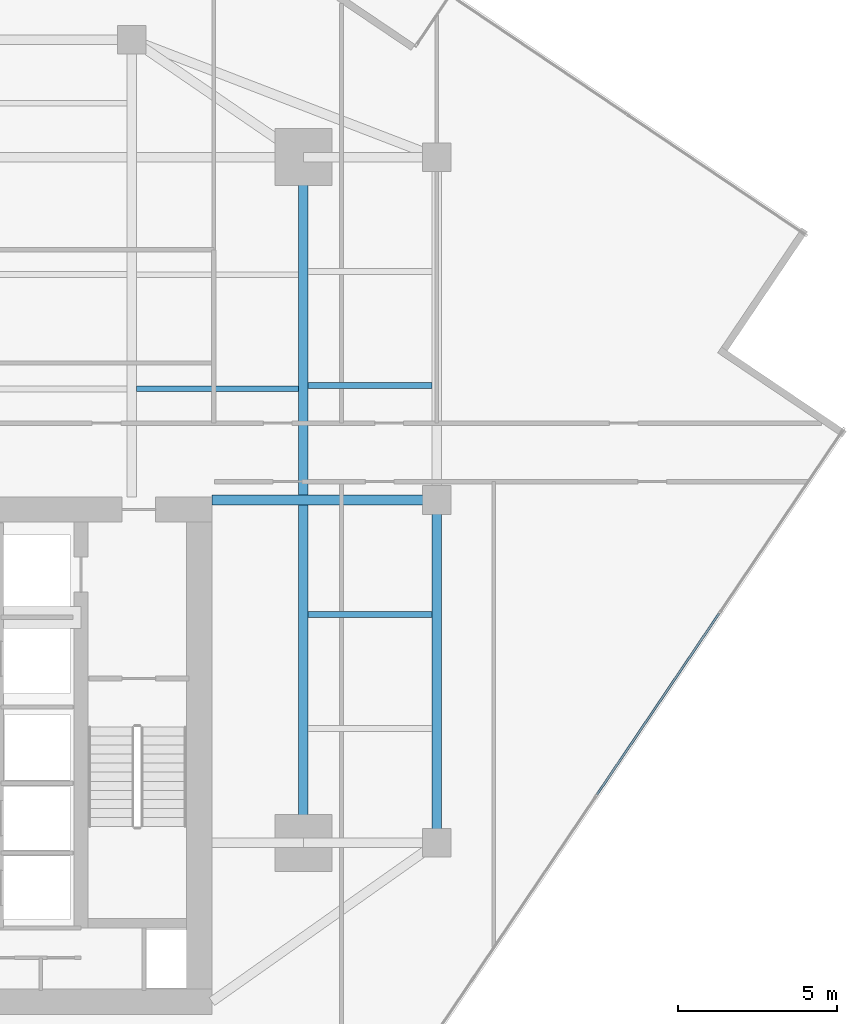
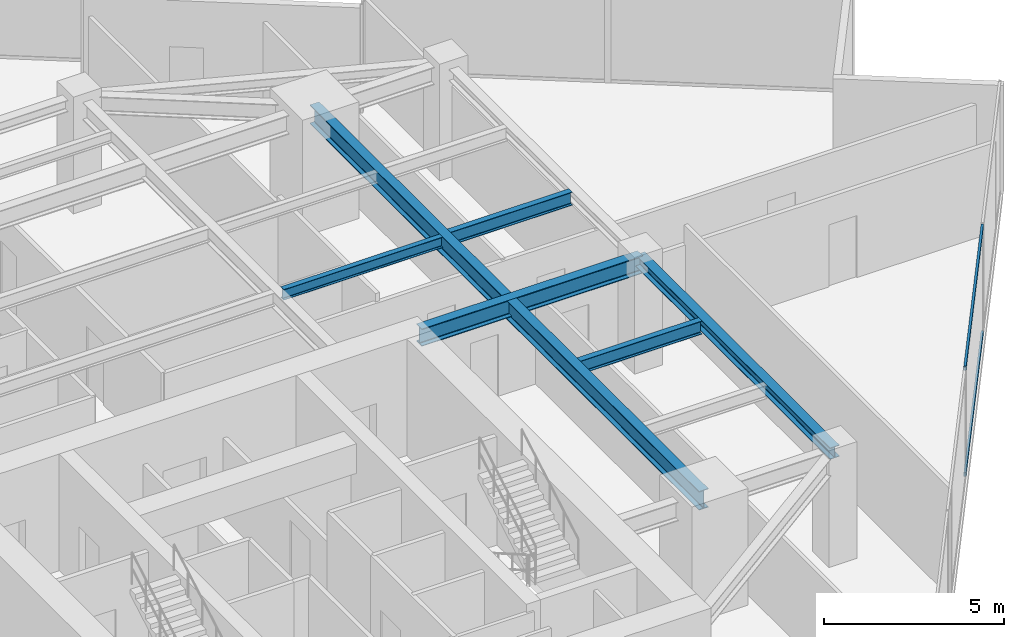
# One storey, part 11 of 27: 6 beams, 2 members, 1 element without a shape of its own.
"""IFC4 building model written with IfcOpenShell, lengths in metres."""

from ifc_helpers import new_model, si_unit, direction, frame, origin, origin_2d, place, context, subcontext, project, spatial, hollow_rectangle, i_section, extrude, source, transform, mapped, material, material_profile, profile_set, type_object, type_shapes, element, aggregate, save


model = new_model("IFC4")

# Units and contexts
model_context = context("Model", 3, precision=1e-05, world=origin(), true_north=direction((0.0, 1.0)))
body_context = subcontext(model_context, "Body", "Model", "MODEL_VIEW")
ifc_project = project(units=[si_unit("LENGTHUNIT", "METRE"), si_unit("AREAUNIT", "SQUARE_METRE"), si_unit("VOLUMEUNIT", "CUBIC_METRE"), si_unit("PLANEANGLEUNIT", "RADIAN"), si_unit("MASSUNIT", "GRAM", prefix="KILO")], contexts=[model_context])

# Site, building, storey
site_placement = place(None, origin())
site = spatial("IfcSite", under=ifc_project, at=site_placement, CompositionType="ELEMENT")
building_placement = place(site_placement, origin())
building = spatial("IfcBuilding", under=site, at=building_placement, Name="Krantzveldt Concourse Tower", CompositionType="ELEMENT")
storey_placement = place(building_placement, frame((0.0, 0.0, 185.699951171875)))
storey = spatial("IfcBuildingStorey", under=building, at=storey_placement, Name="L45", CompositionType="ELEMENT", Elevation=185.699951171875)

# Beams
ifc_material_1 = material(Name="Steel S355JR", Category="steel")
ifc_material_profile_1 = material_profile(ifc_material_1, i_section(OverallWidth=0.300048828125, OverallDepth=0.639892578125, WebThickness=0.013427734375, FlangeThickness=0.02587890625, FilletRadius=0.027099609375, at=origin_2d()), Name="Steel S355JR", Category="steel")
ifc_profile_set_1 = profile_set([ifc_material_profile_1], Name="Steel S355JR - HEA 650")
beam_type_1 = type_object("IfcBeamType", Name="BM-B-HEA650", PredefinedType="BEAM", material=ifc_profile_set_1)
shared_shape_1 = source(origin(), body_context, "Body", "SweptSolid", [
    extrude(i_section(OverallWidth=0.300048828125, OverallDepth=0.639892578125, WebThickness=0.013427734375, FlangeThickness=0.02587890625, FilletRadius=0.027099609375, at=origin_2d()), origin(), (0.0, 0.0, 1.0), 21.60009765625),
])
type_shapes(beam_type_1, [shared_shape_1])
beam_1_placement = place(storey_placement, frame((46.800048828125, 15.89990234375, 3.35009765625), z_axis=(0.0, 1.0, 0.0), x_axis=(-1.0, 0.0, 0.0)))
element("IfcBeam", 1, at=beam_1_placement, inside=storey, type_object=beam_type_1, Name="L45 Tower Girder BG-ME", PredefinedType="BEAM", context=body_context, shape_type="MappedRepresentation", body=[
    mapped(shared_shape_1, transform((0.0, 0.0, 0.0), x_axis=(1.0, 0.0, 0.0), y_axis=(0.0, 1.0, 0.0), z_axis=(0.0, 0.0, 1.0), scale=1.0)),
])
ifc_material_profile_2 = material_profile(ifc_material_1, i_section(OverallWidth=0.300048828125, OverallDepth=0.590087890625, WebThickness=0.012939453125, FlangeThickness=0.02490234375, FilletRadius=0.027099609375, at=origin_2d()), Name="Steel S355JR", Category="steel")
ifc_profile_set_2 = profile_set([ifc_material_profile_2], Name="Steel S355JR - HEA 600")
beam_type_2 = type_object("IfcBeamType", Name="BM-B-HEA600", PredefinedType="BEAM", material=ifc_profile_set_2)
shared_shape_2 = source(origin(), body_context, "Body", "SweptSolid", [
    extrude(i_section(OverallWidth=0.300048828125, OverallDepth=0.590087890625, WebThickness=0.012939453125, FlangeThickness=0.02490234375, FilletRadius=0.027099609375, at=origin_2d()), origin(), (0.0, 0.0, 1.0), 7.080078125),
])
type_shapes(beam_type_2, [shared_shape_2])
beam_2_placement = place(storey_placement, frame((43.919921875, 26.699951171875, 3.375), z_axis=(1.0, 0.0, 0.0), x_axis=(0.0, 1.0, 0.0)))
element("IfcBeam", 2, at=beam_2_placement, inside=storey, type_object=beam_type_2, Name="L45 Tower Girder BG-CE2", PredefinedType="BEAM", context=body_context, shape_type="MappedRepresentation", body=[
    mapped(shared_shape_2, transform((0.0, 0.0, 0.0), x_axis=(1.0, 0.0, 0.0), y_axis=(0.0, 1.0, 0.0), z_axis=(0.0, 0.0, 1.0), scale=1.0)),
])
ifc_material_profile_3 = material_profile(ifc_material_1, i_section(OverallWidth=0.300048828125, OverallDepth=0.389892578125, WebThickness=0.010986328125, FlangeThickness=0.01904296875, FilletRadius=0.027099609375, at=origin_2d()), Name="Steel S355JR", Category="steel")
ifc_profile_set_3 = profile_set([ifc_material_profile_3], Name="Steel S355JR - HEA 400")
beam_type_3 = type_object("IfcBeamType", Name="BM-SP-HEA400", PredefinedType="SPANDREL", material=ifc_profile_set_3)
shared_shape_3 = source(origin(), body_context, "Body", "SweptSolid", [
    extrude(i_section(OverallWidth=0.300048828125, OverallDepth=0.389892578125, WebThickness=0.010986328125, FlangeThickness=0.01904296875, FilletRadius=0.027099609375, at=origin_2d()), origin(), (0.0, 0.0, 1.0), 10.800048828125),
])
type_shapes(beam_type_3, [shared_shape_3])
beam_3_placement = place(storey_placement, frame((51.0, 26.699951171875, 3.47509765625), z_axis=(0.0, -1.0, 0.0), x_axis=(1.0, 0.0, 0.0)))
element("IfcBeam", 3, at=beam_3_placement, inside=storey, type_object=beam_type_3, Name="L45 Tower Girder SP-R07", PredefinedType="SPANDREL", context=body_context, shape_type="MappedRepresentation", body=[
    mapped(shared_shape_3, transform((0.0, 0.0, 0.0), x_axis=(1.0, 0.0, 0.0), y_axis=(0.0, 1.0, 0.0), z_axis=(0.0, 0.0, 1.0), scale=1.0)),
])
ifc_material_profile_4 = material_profile(ifc_material_1, i_section(OverallWidth=0.169921875, OverallDepth=0.360107421875, WebThickness=0.008056640625, FlangeThickness=0.0126953125, FilletRadius=0.01806640625, at=origin_2d()), Name="Steel S355JR", Category="steel")
ifc_profile_set_4 = profile_set([ifc_material_profile_4], Name="Steel S355JR - IPE 360")
beam_type_4 = type_object("IfcBeamType", Name="BM-J-IPE360", PredefinedType="JOIST", material=ifc_profile_set_4)
shared_shape_4 = source(origin(), body_context, "Body", "SweptSolid", [
    extrude(i_section(OverallWidth=0.169921875, OverallDepth=0.360107421875, WebThickness=0.008056640625, FlangeThickness=0.0126953125, FilletRadius=0.01806640625, at=origin_2d()), origin(), (0.0, 0.0, 1.0), 5.099853515625),
])
type_shapes(beam_type_4, [shared_shape_4])
beam_4_placement = place(storey_placement, frame((41.550048828125, 30.199951171875, 3.489990234375), z_axis=(1.0, 0.0, 0.0), x_axis=(0.0, 1.0, 0.0)))
element("IfcBeam", 4, at=beam_4_placement, inside=storey, type_object=beam_type_4, Name="L45 Secondary Floor Joist JN-E1", PredefinedType="JOIST", context=body_context, shape_type="MappedRepresentation", body=[
    mapped(shared_shape_4, transform((0.0, 0.0, 0.0), x_axis=(1.0, 0.0, 0.0), y_axis=(0.0, 1.0, 0.0), z_axis=(0.0, 0.0, 1.0), scale=1.0)),
])
ifc_material_profile_5 = material_profile(ifc_material_1, i_section(OverallWidth=0.18994140625, OverallDepth=0.449951171875, WebThickness=0.009521484375, FlangeThickness=0.0146484375, FilletRadius=0.02099609375, at=origin_2d()), Name="Steel S355JR", Category="steel")
ifc_profile_set_5 = profile_set([ifc_material_profile_5], Name="Steel S355JR - IPE 450")
beam_type_5 = type_object("IfcBeamType", Name="BM-J-IPE450", PredefinedType="JOIST", material=ifc_profile_set_5)
shared_shape_5 = source(origin(), body_context, "Body", "SweptSolid", [
    extrude(i_section(OverallWidth=0.18994140625, OverallDepth=0.449951171875, WebThickness=0.009521484375, FlangeThickness=0.0146484375, FilletRadius=0.02099609375, at=origin_2d()), origin(), (0.0, 0.0, 1.0), 3.900146484375),
])
type_shapes(beam_type_5, [shared_shape_5])
for number, where, z_axis, x_axis, name in (
    (5, (46.949951171875, 23.10009765625, 3.445068359375), (1.0, 0.0, 0.0), (0.0, 1.0, 0.0), "L45 Secondary Floor Joist JE-2"),
    (6, (46.949951171875, 30.300048828125, 3.445068359375), (1.0, 0.0, 0.0), (0.0, 1.0, 0.0), "L45 Secondary Floor Joist JE-3"),
):
    element("IfcBeam", number, at=place(storey_placement, frame(where, z_axis=z_axis, x_axis=x_axis)), inside=storey, type_object=beam_type_5, Name=name, PredefinedType="JOIST", context=body_context, shape_type="MappedRepresentation", body=[
        mapped(shared_shape_5, transform((0.0, 0.0, 0.0), x_axis=(1.0, 0.0, 0.0), y_axis=(0.0, 1.0, 0.0), z_axis=(0.0, 0.0, 1.0), scale=1.0)),
    ])

# Curtain wall, members
ifc_material_2 = material(Name="Anodised aluminium 6063-T6", Category="aluminium")
curtain_wall_type = type_object("IfcCurtainWallType", Name="CW3", PredefinedType="USERDEFINED", material=ifc_material_2)
curtain_wall_placement = place(storey_placement, origin())
curtain_wall = element("IfcCurtainWall", 7, at=curtain_wall_placement, inside=storey, type_object=curtain_wall_type, Name="CW-L45-F07", ObjectType="UNITISED CURTAIN WALL", PredefinedType="USERDEFINED")
ifc_material_profile_6 = material_profile(ifc_material_2, hollow_rectangle(XDim=0.070068359375, YDim=0.139892578125, WallThickness=0.0048828125, at=origin_2d()), Name="Anodised aluminium 6063-T6", Category="aluminium")
ifc_profile_set_6 = profile_set([ifc_material_profile_6], Name="Anodised aluminium 6063-T6 - ALU-TRAN 140x70x5")
member_type = type_object("IfcMemberType", Name="CW-TRN-150", PredefinedType="USERDEFINED", material=ifc_profile_set_6)
shared_shape_6 = source(origin(), body_context, "Body", "SweptSolid", [
    extrude(hollow_rectangle(XDim=0.070068359375, YDim=0.139892578125, WallThickness=0.0048828125, at=origin_2d()), origin(), (0.0, 0.0, 1.0), 6.89013671875),
])
type_shapes(member_type, [shared_shape_6])
member_1_placement = place(storey_placement, frame((56.046875, 17.41796875, 0.03515625), z_axis=(0.559181316648, 0.829045387848, 0.0), x_axis=(-0.829045387848, 0.559181316648, 0.0)))
member_1 = element("IfcMember", 8, at=member_1_placement, type_object=member_type, Name="CW-Z34 transom 4.1", ObjectType="TRANSOM", PredefinedType="USERDEFINED", context=body_context, shape_type="MappedRepresentation", body=[
    mapped(shared_shape_6, transform((0.0, 0.0, 0.0), x_axis=(1.0, 0.0, 0.0), y_axis=(0.0, 1.0, 0.0), z_axis=(0.0, 0.0, 1.0), scale=1.0)),
])
member_2_placement = place(storey_placement, frame((56.046875, 17.41796875, 3.635009765625), z_axis=(0.559181316648, 0.829045387848, 0.0), x_axis=(-0.829045387848, 0.559181316648, 0.0)))
member_2 = element("IfcMember", 9, at=member_2_placement, type_object=member_type, Name="CW-Z34 transom 4.2", ObjectType="TRANSOM", PredefinedType="USERDEFINED", context=body_context, shape_type="MappedRepresentation", body=[
    mapped(shared_shape_6, transform((0.0, 0.0, 0.0), x_axis=(1.0, 0.0, 0.0), y_axis=(0.0, 1.0, 0.0), z_axis=(0.0, 0.0, 1.0), scale=1.0)),
])
aggregate(curtain_wall, [member_1, member_2])

save(model, "model.ifc")
